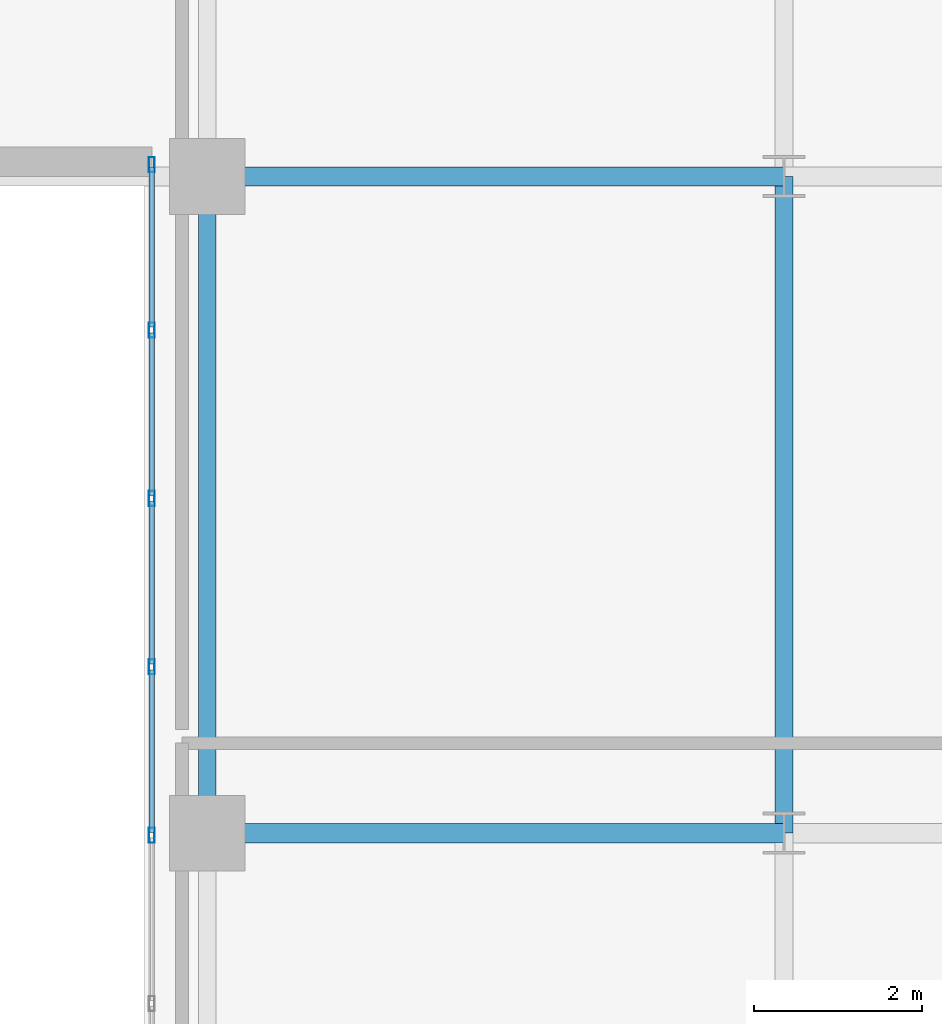
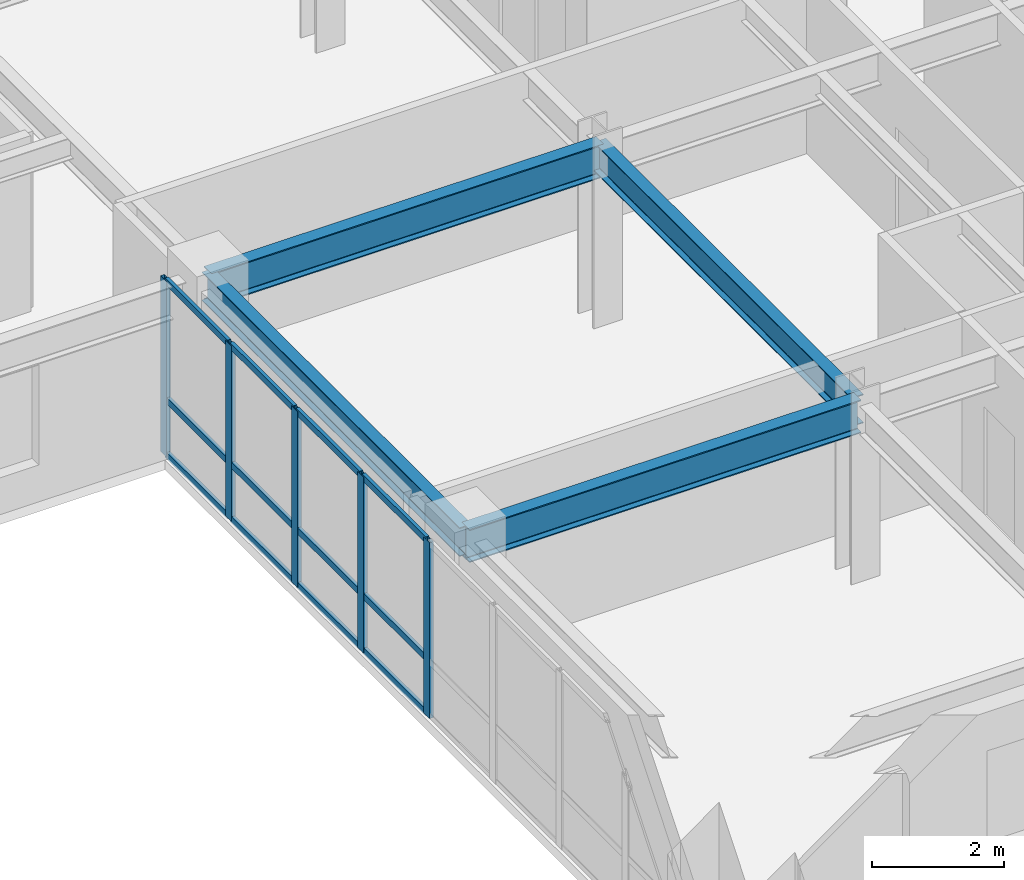
# One storey, part 7 of 16: 17 members, 4 beams, 1 element without a shape of its own.
"""IFC4 building model written with IfcOpenShell, lengths in metres."""

import ifcopenshell
import ifcopenshell.guid

model = None  # the IFC model being written
_history = None  # IfcOwnerHistory: only IFC2X3 demands one
_inside = {}  # id of a spatial element -> (the spatial element, [elements in it])
_under = {}  # id of a project, library or spatial element -> (it, [spatial elements below it])
_declared = {}  # id of a project -> (the project, [libraries it declares])
_typed = {}  # id of a type object -> (the type object, [elements of that type])
_made_of = {}  # id of a material, layer set ... -> (it, [elements and type objects made of it])


def new_model(schema):
    """Start an empty IFC model of exactly this schema.

    Asked for "IFC4X3", IfcOpenShell would pick the latest addendum, in which some entities
    have other attributes; the version numbers below select the first issue.
    IFC2X3 requires an IfcOwnerHistory on every rooted entity: one is made here for all.
    """
    global model, _history
    if schema == "IFC4X3":
        model = ifcopenshell.file(schema_version=(4, 3, 0, 0))
    else:
        model = ifcopenshell.file(schema=schema)
    _inside.clear()
    _under.clear()
    _declared.clear()
    _typed.clear()
    _made_of.clear()
    _history = None
    if model.schema == "IFC2X3":
        org = make("IfcOrganization", Name="unknown")
        user = make(
            "IfcPersonAndOrganization",
            ThePerson=make("IfcPerson", FamilyName="unknown"),
            TheOrganization=org,
        )
        app = make(
            "IfcApplication",
            ApplicationDeveloper=org,
            Version="unknown",
            ApplicationFullName="unknown",
            ApplicationIdentifier="unknown",
        )
        _history = make(
            "IfcOwnerHistory",
            OwningUser=user,
            OwningApplication=app,
            ChangeAction="ADDED",
            CreationDate=0,
        )
    return model


def make(cls, **values):
    """One entity of the class cls with the attributes given. An attribute that is None is left unset."""
    return model.create_entity(
        cls, **{name: value for name, value in values.items() if value is not None}
    )


def rooted(cls, **values):
    """An entity with a GlobalId (a new one), such as an element, a storey or a relation."""
    return make(cls, GlobalId=ifcopenshell.guid.new(), OwnerHistory=_history, **values)


def si_unit(unit_type, name, prefix=None):
    """IfcSIUnit, for example si_unit("LENGTHUNIT", "METRE", prefix="MILLI")."""
    return make("IfcSIUnit", UnitType=unit_type, Prefix=prefix, Name=name)


def assignment(units):
    """IfcUnitAssignment: the units of a project."""
    return None if units is None else make("IfcUnitAssignment", Units=units)


def point(xyz):
    """IfcCartesianPoint."""
    return None if xyz is None else make("IfcCartesianPoint", Coordinates=xyz)


def direction(xyz):
    """IfcDirection."""
    return None if xyz is None else make("IfcDirection", DirectionRatios=xyz)


def frame(location, z_axis=None, x_axis=None):
    """IfcAxis2Placement3D, a coordinate frame: its origin and axes. An axis left out is left unset."""
    return make(
        "IfcAxis2Placement3D",
        Location=point(location),
        Axis=direction(z_axis),
        RefDirection=direction(x_axis),
    )


def frame_2d(location, x_axis=None):
    """IfcAxis2Placement2D, a coordinate frame in the plane: its origin and x axis."""
    return make(
        "IfcAxis2Placement2D", Location=point(location), RefDirection=direction(x_axis)
    )


def origin():
    """The frame at (0, 0, 0) with its axes left unset."""
    return frame((0.0, 0.0, 0.0))


def origin_2d():
    """The frame at (0, 0) in the plane with its x axis left unset."""
    return frame_2d((0.0, 0.0))


def place(relative_to, where):
    """IfcLocalPlacement: puts the frame where relative to a parent placement (None: the world)."""
    return make(
        "IfcLocalPlacement", PlacementRelTo=relative_to, RelativePlacement=where
    )


def context(
    kind, dimensions, precision=None, world=None, true_north=None, identifier=None
):
    """IfcGeometricRepresentationContext, for example the 3D "Model" context."""
    return make(
        "IfcGeometricRepresentationContext",
        ContextIdentifier=identifier,
        ContextType=kind,
        CoordinateSpaceDimension=dimensions,
        Precision=precision,
        WorldCoordinateSystem=world,
        TrueNorth=true_north,
    )


def subcontext(parent, identifier, kind, view, scale=None):
    """IfcGeometricRepresentationSubContext, for example "Body" below "Model"."""
    return make(
        "IfcGeometricRepresentationSubContext",
        ContextIdentifier=identifier,
        ContextType=kind,
        ParentContext=parent,
        TargetScale=scale,
        TargetView=view,
    )


def project(units=None, contexts=None):
    """IfcProject with its units and contexts."""
    return rooted(
        "IfcProject",
        Name="project",
        RepresentationContexts=contexts,
        UnitsInContext=assignment(units),
    )


def spatial(cls, under=None, at=None, **own):
    """A site, building, storey or space (cls), placed at a placement, below another one or the project."""
    s = rooted(cls, ObjectPlacement=at, **own)
    if under is not None:
        _under.setdefault(under.id(), (under, []))[1].append(s)
    return s


def profile(cls, at=None, kind="AREA", **sizes):
    """A parametric profile (cls). Its sizes go by their IFC names, for example OverallWidth=200.0."""
    return make(cls, ProfileType=kind, Position=at, **sizes)


def hollow_rectangle(**sizes):
    """IfcRectangleHollowProfileDef."""
    return profile("IfcRectangleHollowProfileDef", **sizes)


def i_section(**sizes):
    """IfcIShapeProfileDef."""
    return profile("IfcIShapeProfileDef", **sizes)


def extrude(swept, where, along, depth):
    """IfcExtrudedAreaSolid: the profile swept, set in the frame where, extruded along a direction by depth."""
    return make(
        "IfcExtrudedAreaSolid",
        SweptArea=swept,
        Position=where,
        ExtrudedDirection=direction(along),
        Depth=depth,
    )


def shape(context_of_items, identifier, shape_type, items):
    """IfcShapeRepresentation: the items that make up one representation, for example the "Body"."""
    return make(
        "IfcShapeRepresentation",
        ContextOfItems=context_of_items,
        RepresentationIdentifier=identifier,
        RepresentationType=shape_type,
        Items=items,
    )


def source(mapping_origin, context_of_items, identifier, shape_type, items):
    """IfcRepresentationMap: a shape defined once, which mapped items show again and again."""
    return make(
        "IfcRepresentationMap",
        MappingOrigin=mapping_origin,
        MappedRepresentation=shape(context_of_items, identifier, shape_type, items),
    )


def transform(
    local_origin,
    x_axis=None,
    y_axis=None,
    z_axis=None,
    scale=None,
    scale2=None,
    scale3=None,
    uniform=True,
):
    """IfcCartesianTransformationOperator3D, or its non-uniform kind. x_axis, y_axis, z_axis: its Axis1, 2, 3."""
    if uniform:
        return make(
            "IfcCartesianTransformationOperator3D",
            Axis1=direction(x_axis),
            Axis2=direction(y_axis),
            LocalOrigin=point(local_origin),
            Scale=scale,
            Axis3=direction(z_axis),
        )
    return make(
        "IfcCartesianTransformationOperator3DnonUniform",
        Axis1=direction(x_axis),
        Axis2=direction(y_axis),
        LocalOrigin=point(local_origin),
        Scale=scale,
        Axis3=direction(z_axis),
        Scale2=scale2,
        Scale3=scale3,
    )


def mapped(mapping_source, mapping_target):
    """IfcMappedItem: shows the shape of a source again, moved by a transform."""
    return make(
        "IfcMappedItem", MappingSource=mapping_source, MappingTarget=mapping_target
    )


def material(Name=None, Category=None):
    """IfcMaterial."""
    return make("IfcMaterial", Name=Name, Category=Category)


def layer(
    of_material, thickness, ventilated=None, Name=None, Category=None, Priority=None
):
    """IfcMaterialLayer: one layer of a wall or slab, of a material (None: an air gap)."""
    return make(
        "IfcMaterialLayer",
        Material=of_material,
        LayerThickness=thickness,
        IsVentilated=ventilated,
        Name=Name,
        Category=Category,
        Priority=Priority,
    )


def layer_set(layers, Name=None):
    """IfcMaterialLayerSet."""
    return make("IfcMaterialLayerSet", MaterialLayers=layers, LayerSetName=Name)


def material_profile(
    of_material, cross_section, Name=None, Category=None, Priority=None
):
    """IfcMaterialProfile: a cross section and its material."""
    return make(
        "IfcMaterialProfile",
        Name=Name,
        Material=of_material,
        Profile=cross_section,
        Priority=Priority,
        Category=Category,
    )


def profile_set(profiles, Name=None, composite=None):
    """IfcMaterialProfileSet."""
    return make(
        "IfcMaterialProfileSet",
        Name=Name,
        MaterialProfiles=profiles,
        CompositeProfile=composite,
    )


def made_of(thing, what):
    """Note that an element or type object is made of a material, layer set ...; save() writes the relation."""
    if what is not None:
        _made_of.setdefault(what.id(), (what, []))[1].append(thing)
    return thing


def type_object(cls, material=None, **own):
    """A type object (cls), such as IfcWallType, which elements share."""
    return made_of(rooted(cls, **own), material)


def type_shapes(of_type, sources):
    """Give a type object the sources (RepresentationMaps) that its elements show as mapped items."""
    of_type.RepresentationMaps = sources


def element(
    cls,
    number,
    at=None,
    inside=None,
    cuts=None,
    type_object=None,
    material=None,
    context=None,
    identifier="Body",
    shape_type=None,
    held_by="IfcProductDefinitionShape",
    body=None,
    shapes=None,
    **own,
):
    """One element of the class cls, such as IfcWall. Its Tag is "e" and its number.

    at: its placement. inside: the storey or other place that contains it. cuts: it is an
    opening in that element (IfcRelVoidsElement). A single representation is given by context,
    identifier, shape_type and body (its items); several are given by shapes. held_by: the class
    of the entity that holds the representations. save() writes the other relations.
    """
    e = rooted(cls, Tag="e%d" % number, ObjectPlacement=at, **own)
    if body is not None:
        shapes = [shape(context, identifier, shape_type, body)]
    if shapes is not None:
        e.Representation = make(held_by, Representations=shapes)
    if inside is not None:
        _inside.setdefault(inside.id(), (inside, []))[1].append(e)
    if cuts is not None:
        rooted(
            "IfcRelVoidsElement", RelatingBuildingElement=cuts, RelatedOpeningElement=e
        )
    if type_object is not None:
        _typed.setdefault(type_object.id(), (type_object, []))[1].append(e)
    return made_of(e, material)


def aggregate(whole, parts):
    """IfcRelAggregates: a whole, such as a stair, and the parts it consists of."""
    return rooted("IfcRelAggregates", RelatingObject=whole, RelatedObjects=parts)


def save(model, path):
    """Write the relations noted so far, then the file.

    IfcRelAggregates (storeys below a building ...), IfcRelContainedInSpatialStructure (elements
    in a storey), IfcRelDefinesByType, IfcRelAssociatesMaterial and IfcRelDeclares: one each for
    every whole, place, type object, material and project.
    """
    for whole, parts in _under.values():
        aggregate(whole, parts)
    for where, things in _inside.values():
        rooted(
            "IfcRelContainedInSpatialStructure",
            RelatedElements=things,
            RelatingStructure=where,
        )
    for kind, things in _typed.values():
        rooted("IfcRelDefinesByType", RelatedObjects=things, RelatingType=kind)
    for what, things in _made_of.values():
        rooted("IfcRelAssociatesMaterial", RelatedObjects=things, RelatingMaterial=what)
    for by, libraries in _declared.values():
        rooted("IfcRelDeclares", RelatingContext=by, RelatedDefinitions=libraries)
    model.write(path)


model = new_model("IFC4")

# Units and contexts
model_context = context("Model", 3, precision=1e-05, world=origin(), true_north=direction((0.0, 1.0)))
body_context = subcontext(model_context, "Body", "Model", "MODEL_VIEW")
ifc_project = project(units=[si_unit("LENGTHUNIT", "METRE"), si_unit("AREAUNIT", "SQUARE_METRE"), si_unit("VOLUMEUNIT", "CUBIC_METRE"), si_unit("PLANEANGLEUNIT", "RADIAN"), si_unit("MASSUNIT", "GRAM", prefix="KILO")], contexts=[model_context])

# Site, building, storey
site_placement = place(None, origin())
site = spatial("IfcSite", under=ifc_project, at=site_placement, CompositionType="ELEMENT")
building_placement = place(site_placement, origin())
building = spatial("IfcBuilding", under=site, at=building_placement, Name="Tolvann Quenvar Hotel", CompositionType="ELEMENT")
storey_placement = place(building_placement, frame((0.0, 0.0, 92.35009765625)))
storey = spatial("IfcBuildingStorey", under=building, at=storey_placement, Name="L23", CompositionType="ELEMENT", Elevation=92.35009765625)

# Beams
ifc_material_1 = material(Name="Steel Grade 350", Category="steel")
ifc_material_profile_1 = material_profile(ifc_material_1, i_section(OverallWidth=0.22900390625, OverallDepth=0.612060546875, WebThickness=0.011962890625, FlangeThickness=0.01953125, FilletRadius=0.013916015625, at=origin_2d()), Name="610UB125")
ifc_profile_set_1 = profile_set([ifc_material_profile_1], Name="Steel Grade 350")
beam_type_1 = type_object("IfcBeamType", Name="BM_GIRD_610UB125", PredefinedType="BEAM", material=ifc_profile_set_1)
shared_shape_1 = source(origin(), body_context, "Body", "SweptSolid", [
    extrude(i_section(OverallWidth=0.22900390625, OverallDepth=0.612060546875, WebThickness=0.011962890625, FlangeThickness=0.01953125, FilletRadius=0.013916015625, at=origin_2d()), origin(), (0.0, 0.0, 1.0), 6.85009765625),
])
type_shapes(beam_type_1, [shared_shape_1])
for number, where, z_axis, x_axis, name in (
    (1, (34.949951171875, 8.199951171875, 2.94384765625), (1.0, 0.0, 0.0), (0.0, 1.0, 0.0), "BM-L23-EW-3-F3-H3"),
    (2, (34.949951171875, 16.0, 2.94384765625), (1.0, 0.0, 0.0), (0.0, 1.0, 0.0), "BM-L23-EW-4-F4-H4"),
):
    element("IfcBeam", number, at=place(storey_placement, frame(where, z_axis=z_axis, x_axis=x_axis)), inside=storey, type_object=beam_type_1, Name=name, PredefinedType="BEAM", context=body_context, shape_type="MappedRepresentation", body=[
        mapped(shared_shape_1, transform((0.0, 0.0, 0.0), x_axis=(1.0, 0.0, 0.0), y_axis=(0.0, 1.0, 0.0), z_axis=(0.0, 0.0, 1.0), scale=1.0)),
    ])
ifc_material_profile_2 = material_profile(ifc_material_1, i_section(OverallWidth=0.208984375, OverallDepth=0.532958984375, WebThickness=0.01025390625, FlangeThickness=0.015625, FilletRadius=0.013916015625, at=origin_2d()), Name="530UB92")
ifc_profile_set_2 = profile_set([ifc_material_profile_2], Name="Steel Grade 350")
beam_type_2 = type_object("IfcBeamType", Name="BM_GIRD_530UB92", PredefinedType="BEAM", material=ifc_profile_set_2)
shared_shape_2 = source(origin(), body_context, "Body", "SweptSolid", [
    extrude(i_section(OverallWidth=0.208984375, OverallDepth=0.532958984375, WebThickness=0.01025390625, FlangeThickness=0.015625, FilletRadius=0.013916015625, at=origin_2d()), origin(), (0.0, 0.0, 1.0), 7.800048828125),
])
type_shapes(beam_type_2, [shared_shape_2])
for number, where, z_axis, x_axis, name in (
    (3, (34.949951171875, 8.199951171875, 2.9833984375), (0.0, 1.0, 0.0), (-1.0, 0.0, 0.0), "BM-L23-NS-F3-F4"),
    (4, (41.800048828125, 8.199951171875, 2.9833984375), (0.0, 1.0, 0.0), (-1.0, 0.0, 0.0), "BM-L23-NS-H3-H4"),
):
    element("IfcBeam", number, at=place(storey_placement, frame(where, z_axis=z_axis, x_axis=x_axis)), inside=storey, type_object=beam_type_2, Name=name, PredefinedType="BEAM", context=body_context, shape_type="MappedRepresentation", body=[
        mapped(shared_shape_2, transform((0.0, 0.0, 0.0), x_axis=(1.0, 0.0, 0.0), y_axis=(0.0, 1.0, 0.0), z_axis=(0.0, 0.0, 1.0), scale=1.0)),
    ])

# Curtain wall, members
ifc_material_2 = material(Name="Thermally broken anodised architectural aluminium 6063-T6 and laminated low-E glass", Category="aluminium")
ifc_layer = layer(ifc_material_2, 0.179931640625)
ifc_layer_set = layer_set([ifc_layer], Name="Thermally broken anodised architectural aluminium 6063-T6 and laminated low-E glass")
curtain_wall_type = type_object("IfcCurtainWallType", Name="CW_SYS_SLOT_03", PredefinedType="USERDEFINED", material=ifc_layer_set)
curtain_wall_placement = place(storey_placement, origin())
curtain_wall = element("IfcCurtainWall", 5, at=curtain_wall_placement, inside=storey, type_object=curtain_wall_type, Name="Curtain Wall CW-SLOT-03 (CWR-L23-E07)", ObjectType="UNITISED CURTAIN WALL", PredefinedType="USERDEFINED")
ifc_material_3 = material(Name="Anodised architectural aluminium 6063-T6 framing", Category="aluminium")
ifc_material_profile_3 = material_profile(ifc_material_3, hollow_rectangle(XDim=0.06005859375, YDim=0.1201171875, WallThickness=0.00341796875, at=origin_2d()), Name="120x60x3.5RHS")
ifc_profile_set_3 = profile_set([ifc_material_profile_3], Name="Anodised architectural aluminium 6063-T6 framing")
member_type_1 = type_object("IfcMemberType", Name="CW_TRAN_120x60", PredefinedType="USERDEFINED", material=ifc_profile_set_3)
shared_shape_3 = source(origin(), body_context, "Body", "SweptSolid", [
    extrude(hollow_rectangle(XDim=0.06005859375, YDim=0.1201171875, WallThickness=0.00341796875, at=origin_2d()), origin(), (0.0, 0.0, 1.0), 1.929931640625),
])
member_1_placement = place(storey_placement, frame((34.2900390625, 14.139892578125, 0.02978515625), z_axis=(0.0, -1.0, 0.0), x_axis=(1.0, 0.0, 0.0)))
member_1 = element("IfcMember", 6, at=member_1_placement, type_object=member_type_1, Name="CW-SLOT-03 transom 2.1", ObjectType="TRANSOM", PredefinedType="USERDEFINED", context=body_context, shape_type="MappedRepresentation", body=[
    mapped(shared_shape_3, transform((0.0, 0.0, 0.0), x_axis=(1.0, 0.0, 0.0), y_axis=(0.0, 1.0, 0.0), z_axis=(0.0, 0.0, 1.0), scale=1.0)),
])
member_2_placement = place(storey_placement, frame((34.2900390625, 14.139892578125, 1.039794921875), z_axis=(0.0, -1.0, 0.0), x_axis=(1.0, 0.0, 0.0)))
member_2 = element("IfcMember", 7, at=member_2_placement, type_object=member_type_1, Name="CW-SLOT-03 transom 2.2", ObjectType="TRANSOM", PredefinedType="USERDEFINED", context=body_context, shape_type="MappedRepresentation", body=[
    mapped(shared_shape_3, transform((0.0, 0.0, 0.0), x_axis=(1.0, 0.0, 0.0), y_axis=(0.0, 1.0, 0.0), z_axis=(0.0, 0.0, 1.0), scale=1.0)),
])
member_3_placement = place(storey_placement, frame((34.2900390625, 14.139892578125, 3.219970703125), z_axis=(0.0, -1.0, 0.0), x_axis=(1.0, 0.0, 0.0)))
member_3 = element("IfcMember", 8, at=member_3_placement, type_object=member_type_1, Name="CW-SLOT-03 transom 2.3", ObjectType="TRANSOM", PredefinedType="USERDEFINED", context=body_context, shape_type="MappedRepresentation", body=[
    mapped(shared_shape_3, transform((0.0, 0.0, 0.0), x_axis=(1.0, 0.0, 0.0), y_axis=(0.0, 1.0, 0.0), z_axis=(0.0, 0.0, 1.0), scale=1.0)),
])
member_4_placement = place(storey_placement, frame((34.2900390625, 12.139892578125, 0.02978515625), z_axis=(0.0, -1.0, 0.0), x_axis=(1.0, 0.0, 0.0)))
member_4 = element("IfcMember", 9, at=member_4_placement, type_object=member_type_1, Name="CW-SLOT-03 transom 3.1", ObjectType="TRANSOM", PredefinedType="USERDEFINED", context=body_context, shape_type="MappedRepresentation", body=[
    mapped(shared_shape_3, transform((0.0, 0.0, 0.0), x_axis=(1.0, 0.0, 0.0), y_axis=(0.0, 1.0, 0.0), z_axis=(0.0, 0.0, 1.0), scale=1.0)),
])
member_5_placement = place(storey_placement, frame((34.2900390625, 12.139892578125, 1.039794921875), z_axis=(0.0, -1.0, 0.0), x_axis=(1.0, 0.0, 0.0)))
member_5 = element("IfcMember", 10, at=member_5_placement, type_object=member_type_1, Name="CW-SLOT-03 transom 3.2", ObjectType="TRANSOM", PredefinedType="USERDEFINED", context=body_context, shape_type="MappedRepresentation", body=[
    mapped(shared_shape_3, transform((0.0, 0.0, 0.0), x_axis=(1.0, 0.0, 0.0), y_axis=(0.0, 1.0, 0.0), z_axis=(0.0, 0.0, 1.0), scale=1.0)),
])
member_6_placement = place(storey_placement, frame((34.2900390625, 12.139892578125, 3.219970703125), z_axis=(0.0, -1.0, 0.0), x_axis=(1.0, 0.0, 0.0)))
member_6 = element("IfcMember", 11, at=member_6_placement, type_object=member_type_1, Name="CW-SLOT-03 transom 3.3", ObjectType="TRANSOM", PredefinedType="USERDEFINED", context=body_context, shape_type="MappedRepresentation", body=[
    mapped(shared_shape_3, transform((0.0, 0.0, 0.0), x_axis=(1.0, 0.0, 0.0), y_axis=(0.0, 1.0, 0.0), z_axis=(0.0, 0.0, 1.0), scale=1.0)),
])
member_7_placement = place(storey_placement, frame((34.2900390625, 10.139892578125, 0.02978515625), z_axis=(0.0, -1.0, 0.0), x_axis=(1.0, 0.0, 0.0)))
member_7 = element("IfcMember", 12, at=member_7_placement, type_object=member_type_1, Name="CW-SLOT-03 transom 4.1", ObjectType="TRANSOM", PredefinedType="USERDEFINED", context=body_context, shape_type="MappedRepresentation", body=[
    mapped(shared_shape_3, transform((0.0, 0.0, 0.0), x_axis=(1.0, 0.0, 0.0), y_axis=(0.0, 1.0, 0.0), z_axis=(0.0, 0.0, 1.0), scale=1.0)),
])
member_8_placement = place(storey_placement, frame((34.2900390625, 10.139892578125, 1.039794921875), z_axis=(0.0, -1.0, 0.0), x_axis=(1.0, 0.0, 0.0)))
member_8 = element("IfcMember", 13, at=member_8_placement, type_object=member_type_1, Name="CW-SLOT-03 transom 4.2", ObjectType="TRANSOM", PredefinedType="USERDEFINED", context=body_context, shape_type="MappedRepresentation", body=[
    mapped(shared_shape_3, transform((0.0, 0.0, 0.0), x_axis=(1.0, 0.0, 0.0), y_axis=(0.0, 1.0, 0.0), z_axis=(0.0, 0.0, 1.0), scale=1.0)),
])
member_9_placement = place(storey_placement, frame((34.2900390625, 10.139892578125, 3.219970703125), z_axis=(0.0, -1.0, 0.0), x_axis=(1.0, 0.0, 0.0)))
member_9 = element("IfcMember", 14, at=member_9_placement, type_object=member_type_1, Name="CW-SLOT-03 transom 4.3", ObjectType="TRANSOM", PredefinedType="USERDEFINED", context=body_context, shape_type="MappedRepresentation", body=[
    mapped(shared_shape_3, transform((0.0, 0.0, 0.0), x_axis=(1.0, 0.0, 0.0), y_axis=(0.0, 1.0, 0.0), z_axis=(0.0, 0.0, 1.0), scale=1.0)),
])
shared_shape_4 = source(origin(), body_context, "Body", "SweptSolid", [
    extrude(hollow_rectangle(XDim=0.06005859375, YDim=0.1201171875, WallThickness=0.00341796875, at=origin_2d()), origin(), (0.0, 0.0, 1.0), 1.89501953125),
])
type_shapes(member_type_1, [shared_shape_3, shared_shape_4])
member_10_placement = place(storey_placement, frame((34.2900390625, 16.10498046875, 0.02978515625), z_axis=(0.0, -1.0, 0.0), x_axis=(1.0, 0.0, 0.0)))
member_10 = element("IfcMember", 15, at=member_10_placement, type_object=member_type_1, Name="CW-SLOT-03 transom 1.1", ObjectType="TRANSOM", PredefinedType="USERDEFINED", context=body_context, shape_type="MappedRepresentation", body=[
    mapped(shared_shape_4, transform((0.0, 0.0, 0.0), x_axis=(1.0, 0.0, 0.0), y_axis=(0.0, 1.0, 0.0), z_axis=(0.0, 0.0, 1.0), scale=1.0)),
])
member_11_placement = place(storey_placement, frame((34.2900390625, 16.10498046875, 1.039794921875), z_axis=(0.0, -1.0, 0.0), x_axis=(1.0, 0.0, 0.0)))
member_11 = element("IfcMember", 16, at=member_11_placement, type_object=member_type_1, Name="CW-SLOT-03 transom 1.2", ObjectType="TRANSOM", PredefinedType="USERDEFINED", context=body_context, shape_type="MappedRepresentation", body=[
    mapped(shared_shape_4, transform((0.0, 0.0, 0.0), x_axis=(1.0, 0.0, 0.0), y_axis=(0.0, 1.0, 0.0), z_axis=(0.0, 0.0, 1.0), scale=1.0)),
])
member_12_placement = place(storey_placement, frame((34.2900390625, 16.10498046875, 3.219970703125), z_axis=(0.0, -1.0, 0.0), x_axis=(1.0, 0.0, 0.0)))
member_12 = element("IfcMember", 17, at=member_12_placement, type_object=member_type_1, Name="CW-SLOT-03 transom 1.3", ObjectType="TRANSOM", PredefinedType="USERDEFINED", context=body_context, shape_type="MappedRepresentation", body=[
    mapped(shared_shape_4, transform((0.0, 0.0, 0.0), x_axis=(1.0, 0.0, 0.0), y_axis=(0.0, 1.0, 0.0), z_axis=(0.0, 0.0, 1.0), scale=1.0)),
])
ifc_material_profile_4 = material_profile(ifc_material_3, hollow_rectangle(XDim=0.070068359375, YDim=0.179931640625, WallThickness=0.00390625, at=origin_2d()), Name="180x70x4RHS")
ifc_profile_set_4 = profile_set([ifc_material_profile_4], Name="Anodised architectural aluminium 6063-T6 framing")
member_type_2 = type_object("IfcMemberType", Name="CW_MULL_180x70", PredefinedType="MULLION", material=ifc_profile_set_4)
shared_shape_5 = source(origin(), body_context, "Body", "SweptSolid", [
    extrude(hollow_rectangle(XDim=0.070068359375, YDim=0.179931640625, WallThickness=0.00390625, at=origin_2d()), origin(), (0.0, 0.0, 1.0), 3.25),
])
type_shapes(member_type_2, [shared_shape_5])
member_13_placement = place(storey_placement, frame((34.2900390625, 16.139892578125, 0.0), z_axis=(0.0, 0.0, 1.0), x_axis=(1.0, 0.0, 0.0)))
member_13 = element("IfcMember", 18, at=member_13_placement, type_object=member_type_2, Name="CW-SLOT-03 mullion 1", PredefinedType="MULLION", context=body_context, shape_type="MappedRepresentation", body=[
    mapped(shared_shape_5, transform((0.0, 0.0, 0.0), x_axis=(1.0, 0.0, 0.0), y_axis=(0.0, 1.0, 0.0), z_axis=(0.0, 0.0, 1.0), scale=1.0)),
])
member_14_placement = place(storey_placement, frame((34.2900390625, 14.175048828125, 0.0), z_axis=(0.0, 0.0, 1.0), x_axis=(1.0, 0.0, 0.0)))
member_14 = element("IfcMember", 19, at=member_14_placement, type_object=member_type_2, Name="CW-SLOT-03 mullion 2", PredefinedType="MULLION", context=body_context, shape_type="MappedRepresentation", body=[
    mapped(shared_shape_5, transform((0.0, 0.0, 0.0), x_axis=(1.0, 0.0, 0.0), y_axis=(0.0, 1.0, 0.0), z_axis=(0.0, 0.0, 1.0), scale=1.0)),
])
member_15_placement = place(storey_placement, frame((34.2900390625, 12.175048828125, 0.0), z_axis=(0.0, 0.0, 1.0), x_axis=(1.0, 0.0, 0.0)))
member_15 = element("IfcMember", 20, at=member_15_placement, type_object=member_type_2, Name="CW-SLOT-03 mullion 3", PredefinedType="MULLION", context=body_context, shape_type="MappedRepresentation", body=[
    mapped(shared_shape_5, transform((0.0, 0.0, 0.0), x_axis=(1.0, 0.0, 0.0), y_axis=(0.0, 1.0, 0.0), z_axis=(0.0, 0.0, 1.0), scale=1.0)),
])
member_16_placement = place(storey_placement, frame((34.2900390625, 10.175048828125, 0.0), z_axis=(0.0, 0.0, 1.0), x_axis=(1.0, 0.0, 0.0)))
member_16 = element("IfcMember", 21, at=member_16_placement, type_object=member_type_2, Name="CW-SLOT-03 mullion 4", PredefinedType="MULLION", context=body_context, shape_type="MappedRepresentation", body=[
    mapped(shared_shape_5, transform((0.0, 0.0, 0.0), x_axis=(1.0, 0.0, 0.0), y_axis=(0.0, 1.0, 0.0), z_axis=(0.0, 0.0, 1.0), scale=1.0)),
])
member_17_placement = place(storey_placement, frame((34.2900390625, 8.175048828125, 0.0), z_axis=(0.0, 0.0, 1.0), x_axis=(1.0, 0.0, 0.0)))
member_17 = element("IfcMember", 22, at=member_17_placement, type_object=member_type_2, Name="CW-SLOT-03 mullion 5", PredefinedType="MULLION", context=body_context, shape_type="MappedRepresentation", body=[
    mapped(shared_shape_5, transform((0.0, 0.0, 0.0), x_axis=(1.0, 0.0, 0.0), y_axis=(0.0, 1.0, 0.0), z_axis=(0.0, 0.0, 1.0), scale=1.0)),
])
aggregate(curtain_wall, [member_13, member_14, member_15, member_16, member_17, member_10, member_11, member_12, member_1, member_2, member_3, member_4, member_5, member_6, member_7, member_8, member_9])

save(model, "model.ifc")
